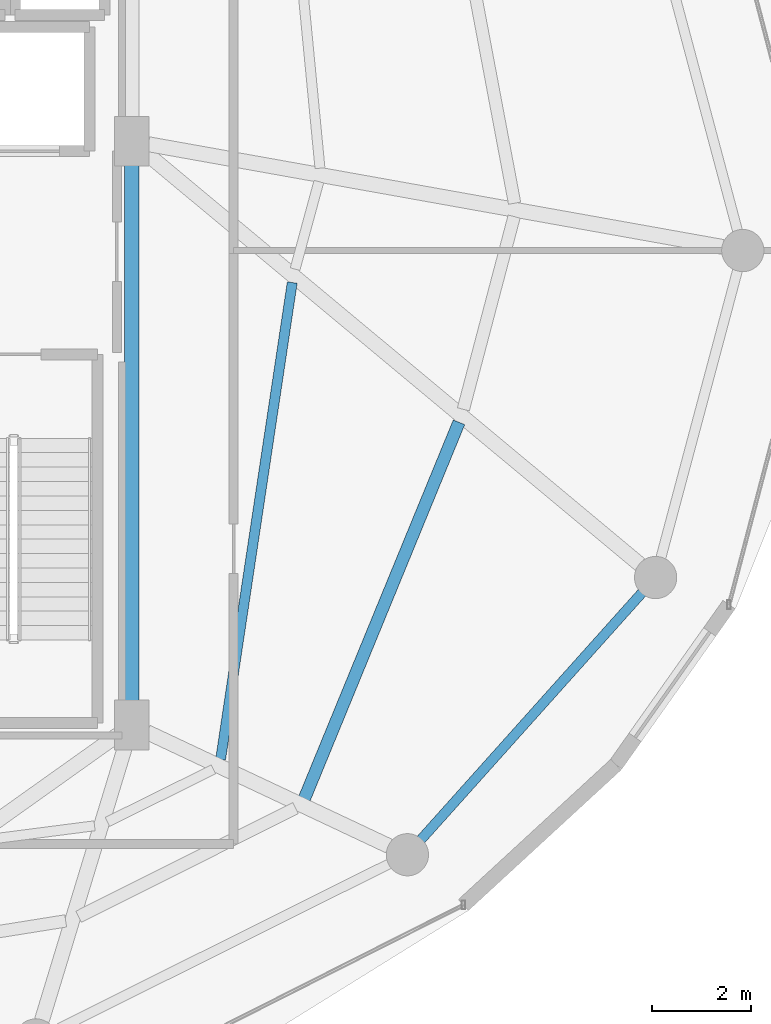
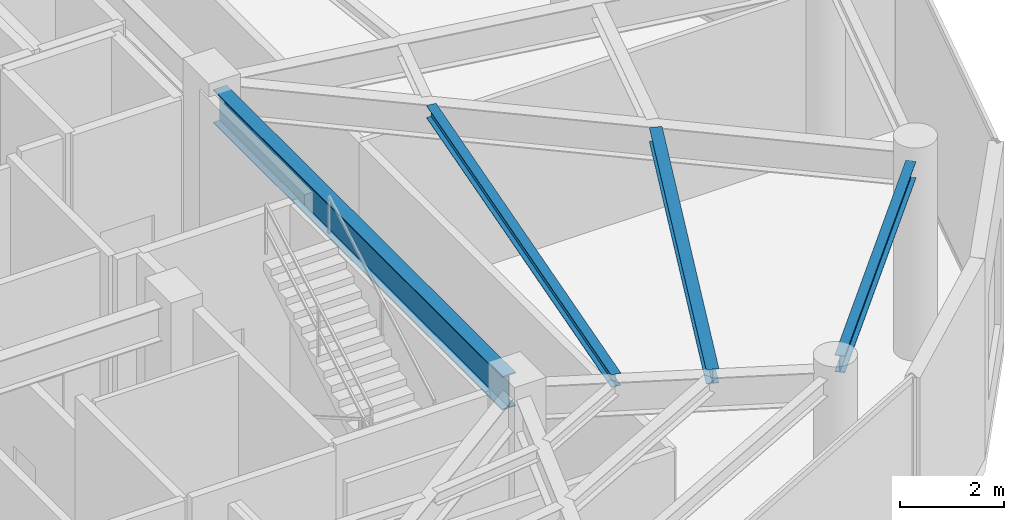
# One storey, part 12 of 24: 4 beams.
"""IFC4 building model written with IfcOpenShell, lengths in metres."""

from ifc_helpers import new_model, si_unit, direction, frame, origin, origin_2d, place, context, subcontext, project, spatial, i_section, extrude, material, material_profile, profile_set, type_object, element, save


model = new_model("IFC4")

# Units and contexts
model_context = context("Model", 3, precision=1e-05, world=origin(), true_north=direction((0.0, 1.0)))
body_context = subcontext(model_context, "Body", "Model", "MODEL_VIEW")
ifc_project = project(units=[si_unit("LENGTHUNIT", "METRE"), si_unit("AREAUNIT", "SQUARE_METRE"), si_unit("VOLUMEUNIT", "CUBIC_METRE"), si_unit("PLANEANGLEUNIT", "RADIAN"), si_unit("MASSUNIT", "GRAM", prefix="KILO")], contexts=[model_context])

# Site, building, storey
site_placement = place(None, origin())
site = spatial("IfcSite", under=ifc_project, at=site_placement, CompositionType="ELEMENT")
building_placement = place(site_placement, origin())
building = spatial("IfcBuilding", under=site, at=building_placement, Name="Vorneva Point Tower", CompositionType="ELEMENT")
storey_placement = place(building_placement, frame((0.0, 0.0, 285.39990234375)))
storey = spatial("IfcBuildingStorey", under=building, at=storey_placement, Name="L77", CompositionType="ELEMENT", Elevation=285.39990234375)

# Beams
ifc_material = material(Name="Steel S355", Category="steel")
ifc_material_profile_1 = material_profile(ifc_material, i_section(OverallWidth=0.300048828125, OverallDepth=0.7880859375, WebThickness=0.014404296875, FlangeThickness=0.02197265625, at=origin_2d()), Name="80Sh1")
ifc_profile_set_1 = profile_set([ifc_material_profile_1], Name="Steel S355")
beam_type_1 = type_object("IfcBeamType", Name="BM-GRD-80Sh1", PredefinedType="USERDEFINED", material=ifc_profile_set_1)
beam_1_placement = place(storey_placement, frame((48.75, 16.77001953125, 4.296142578125), z_axis=(0.0, 1.0, 0.0), x_axis=(-1.0, 0.0, 0.0)))
element("IfcBeam", 1, at=beam_1_placement, inside=storey, type_object=beam_type_1, Name="L77 Core Tie Girder CT3", ObjectType="GIRDER", PredefinedType="USERDEFINED", context=body_context, shape_type="SweptSolid", body=[
    extrude(i_section(OverallWidth=0.300048828125, OverallDepth=0.7880859375, WebThickness=0.014404296875, FlangeThickness=0.02197265625, at=origin_2d()), origin(), (0.0, 0.0, 1.0), 11.10986328125),
])
ifc_material_profile_2 = material_profile(ifc_material, i_section(OverallWidth=0.199951171875, OverallDepth=0.291015625, WebThickness=0.008056640625, FlangeThickness=0.010986328125, at=origin_2d()), Name="30Sh1")
ifc_profile_set_2 = profile_set([ifc_material_profile_2], Name="Steel S355")
beam_type_2 = type_object("IfcBeamType", Name="BM-SEC-30Sh1", PredefinedType="BEAM", material=ifc_profile_set_2)
beam_2_placement = place(storey_placement, frame((50.538330078125, 15.754150390625, 4.544677734375), z_axis=(0.148556856511, 0.98890386812, 0.0), x_axis=(-0.98890386812, 0.148556856511, 0.0)))
element("IfcBeam", 2, at=beam_2_placement, inside=storey, type_object=beam_type_2, Name="L77 Secondary Floor Beam 2.15", PredefinedType="BEAM", context=body_context, shape_type="SweptSolid", body=[
    extrude(i_section(OverallWidth=0.199951171875, OverallDepth=0.291015625, WebThickness=0.008056640625, FlangeThickness=0.010986328125, at=origin_2d()), origin(), (0.0, 0.0, 1.0), 9.709228515625),
])
ifc_material_profile_3 = material_profile(ifc_material, i_section(OverallWidth=0.2490234375, OverallDepth=0.333984375, WebThickness=0.008056640625, FlangeThickness=0.010986328125, at=origin_2d()), Name="35Sh1")
ifc_profile_set_3 = profile_set([ifc_material_profile_3], Name="Steel S355")
beam_type_3 = type_object("IfcBeamType", Name="BM-SEC-35Sh1", PredefinedType="BEAM", material=ifc_profile_set_3)
beam_3_placement = place(storey_placement, frame((52.22509765625, 14.96630859375, 4.523193359375), z_axis=(0.380013584787, 0.924980905412, 0.0), x_axis=(-0.924980905412, 0.380013584787, 0.0)))
element("IfcBeam", 3, at=beam_3_placement, inside=storey, type_object=beam_type_3, Name="L77 Secondary Floor Beam 1.15", PredefinedType="BEAM", context=body_context, shape_type="SweptSolid", body=[
    extrude(i_section(OverallWidth=0.2490234375, OverallDepth=0.333984375, WebThickness=0.008056640625, FlangeThickness=0.010986328125, at=origin_2d()), origin(), (0.0, 0.0, 1.0), 8.190673828125),
])
ifc_material_profile_4 = material_profile(ifc_material, i_section(OverallWidth=0.198974609375, OverallDepth=0.39599609375, WebThickness=0.007080078125, FlangeThickness=0.010986328125, at=origin_2d()), Name="40B1")
ifc_profile_set_4 = profile_set([ifc_material_profile_4], Name="Steel S355")
beam_type_4 = type_object("IfcBeamType", Name="BM-SPN-40B1", PredefinedType="SPANDREL", material=ifc_profile_set_4)
beam_4_placement = place(storey_placement, frame((54.572265625, 14.143310546875, 4.4921875), z_axis=(0.667108282638, 0.744960763554, 0.0), x_axis=(-0.744960763554, 0.667108282638, 0.0)))
element("IfcBeam", 4, at=beam_4_placement, inside=storey, type_object=beam_type_4, Name="L77 Perimeter Spandrel Ring Beam 15", PredefinedType="SPANDREL", context=body_context, shape_type="SweptSolid", body=[
    extrude(i_section(OverallWidth=0.198974609375, OverallDepth=0.39599609375, WebThickness=0.007080078125, FlangeThickness=0.010986328125, at=origin_2d()), origin(), (0.0, 0.0, 1.0), 6.670166015625),
])

save(model, "model.ifc")
